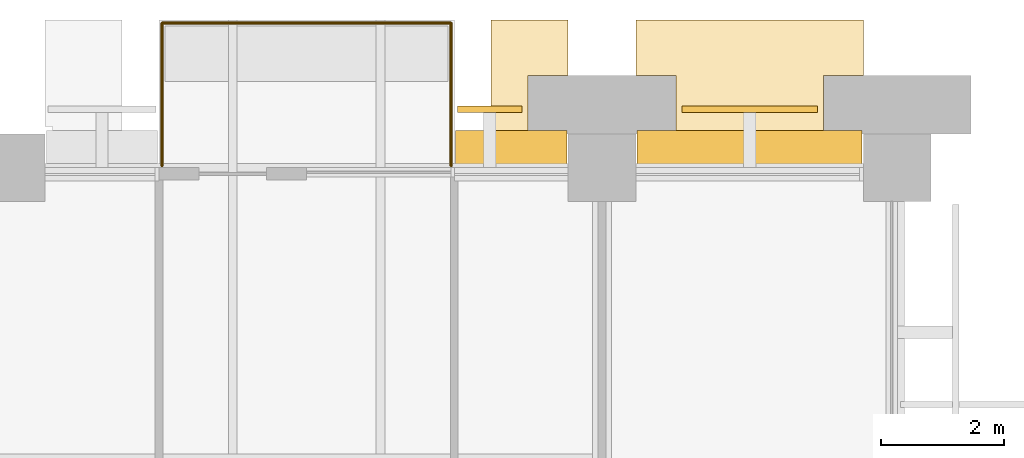
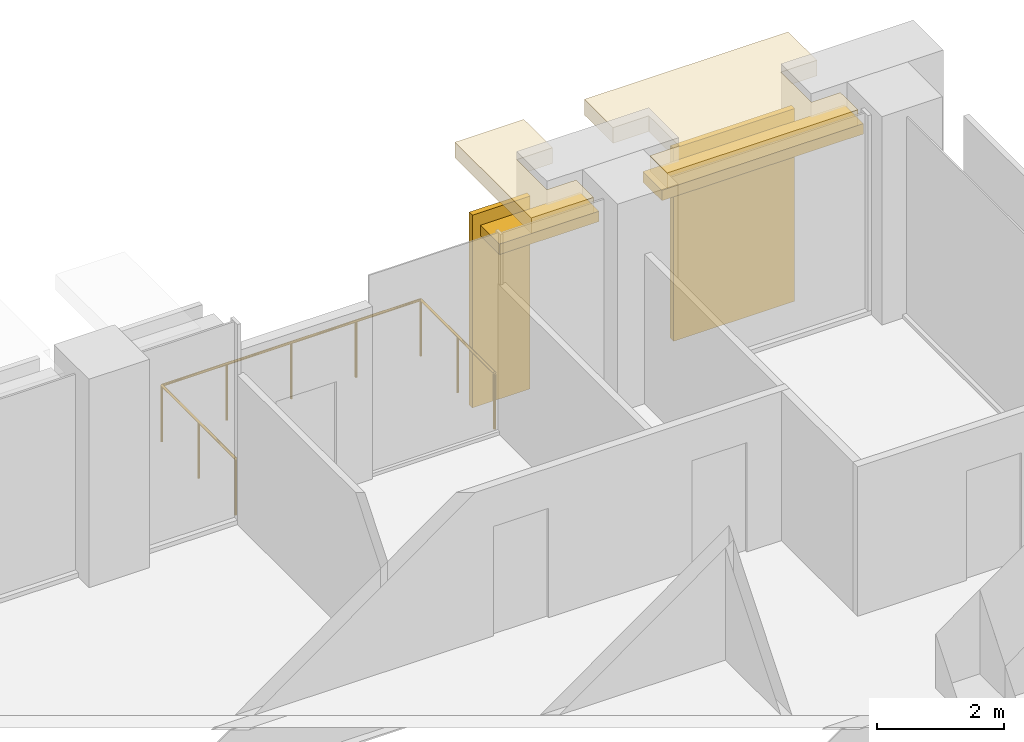
# One storey, part 14 of 14: 4 coverings, 2 shading devices, 1 railing.
"""IFC4 building model written with IfcOpenShell, lengths in metres."""

import ifcopenshell
import ifcopenshell.guid

model = None  # the IFC model being written
_history = None  # IfcOwnerHistory: only IFC2X3 demands one
_inside = {}  # id of a spatial element -> (the spatial element, [elements in it])
_under = {}  # id of a project, library or spatial element -> (it, [spatial elements below it])
_declared = {}  # id of a project -> (the project, [libraries it declares])
_typed = {}  # id of a type object -> (the type object, [elements of that type])
_made_of = {}  # id of a material, layer set ... -> (it, [elements and type objects made of it])


def new_model(schema):
    """Start an empty IFC model of exactly this schema.

    Asked for "IFC4X3", IfcOpenShell would pick the latest addendum, in which some entities
    have other attributes; the version numbers below select the first issue.
    IFC2X3 requires an IfcOwnerHistory on every rooted entity: one is made here for all.
    """
    global model, _history
    if schema == "IFC4X3":
        model = ifcopenshell.file(schema_version=(4, 3, 0, 0))
    else:
        model = ifcopenshell.file(schema=schema)
    _inside.clear()
    _under.clear()
    _declared.clear()
    _typed.clear()
    _made_of.clear()
    _history = None
    if model.schema == "IFC2X3":
        org = make("IfcOrganization", Name="unknown")
        user = make(
            "IfcPersonAndOrganization",
            ThePerson=make("IfcPerson", FamilyName="unknown"),
            TheOrganization=org,
        )
        app = make(
            "IfcApplication",
            ApplicationDeveloper=org,
            Version="unknown",
            ApplicationFullName="unknown",
            ApplicationIdentifier="unknown",
        )
        _history = make(
            "IfcOwnerHistory",
            OwningUser=user,
            OwningApplication=app,
            ChangeAction="ADDED",
            CreationDate=0,
        )
    return model


def make(cls, **values):
    """One entity of the class cls with the attributes given. An attribute that is None is left unset."""
    return model.create_entity(
        cls, **{name: value for name, value in values.items() if value is not None}
    )


def rooted(cls, **values):
    """An entity with a GlobalId (a new one), such as an element, a storey or a relation."""
    return make(cls, GlobalId=ifcopenshell.guid.new(), OwnerHistory=_history, **values)


def si_unit(unit_type, name, prefix=None):
    """IfcSIUnit, for example si_unit("LENGTHUNIT", "METRE", prefix="MILLI")."""
    return make("IfcSIUnit", UnitType=unit_type, Prefix=prefix, Name=name)


def assignment(units):
    """IfcUnitAssignment: the units of a project."""
    return None if units is None else make("IfcUnitAssignment", Units=units)


def point(xyz):
    """IfcCartesianPoint."""
    return None if xyz is None else make("IfcCartesianPoint", Coordinates=xyz)


def direction(xyz):
    """IfcDirection."""
    return None if xyz is None else make("IfcDirection", DirectionRatios=xyz)


def frame(location, z_axis=None, x_axis=None):
    """IfcAxis2Placement3D, a coordinate frame: its origin and axes. An axis left out is left unset."""
    return make(
        "IfcAxis2Placement3D",
        Location=point(location),
        Axis=direction(z_axis),
        RefDirection=direction(x_axis),
    )


def frame_2d(location, x_axis=None):
    """IfcAxis2Placement2D, a coordinate frame in the plane: its origin and x axis."""
    return make(
        "IfcAxis2Placement2D", Location=point(location), RefDirection=direction(x_axis)
    )


def origin():
    """The frame at (0, 0, 0) with its axes left unset."""
    return frame((0.0, 0.0, 0.0))


def origin_2d():
    """The frame at (0, 0) in the plane with its x axis left unset."""
    return frame_2d((0.0, 0.0))


def place(relative_to, where):
    """IfcLocalPlacement: puts the frame where relative to a parent placement (None: the world)."""
    return make(
        "IfcLocalPlacement", PlacementRelTo=relative_to, RelativePlacement=where
    )


def context(
    kind, dimensions, precision=None, world=None, true_north=None, identifier=None
):
    """IfcGeometricRepresentationContext, for example the 3D "Model" context."""
    return make(
        "IfcGeometricRepresentationContext",
        ContextIdentifier=identifier,
        ContextType=kind,
        CoordinateSpaceDimension=dimensions,
        Precision=precision,
        WorldCoordinateSystem=world,
        TrueNorth=true_north,
    )


def subcontext(parent, identifier, kind, view, scale=None):
    """IfcGeometricRepresentationSubContext, for example "Body" below "Model"."""
    return make(
        "IfcGeometricRepresentationSubContext",
        ContextIdentifier=identifier,
        ContextType=kind,
        ParentContext=parent,
        TargetScale=scale,
        TargetView=view,
    )


def project(units=None, contexts=None):
    """IfcProject with its units and contexts."""
    return rooted(
        "IfcProject",
        Name="project",
        RepresentationContexts=contexts,
        UnitsInContext=assignment(units),
    )


def spatial(cls, under=None, at=None, **own):
    """A site, building, storey or space (cls), placed at a placement, below another one or the project."""
    s = rooted(cls, ObjectPlacement=at, **own)
    if under is not None:
        _under.setdefault(under.id(), (under, []))[1].append(s)
    return s


def polyline(points):
    """IfcPolyline through the points."""
    return make("IfcPolyline", Points=[point(p) for p in points])


def profile(cls, at=None, kind="AREA", **sizes):
    """A parametric profile (cls). Its sizes go by their IFC names, for example OverallWidth=200.0."""
    return make(cls, ProfileType=kind, Position=at, **sizes)


def rectangle(**sizes):
    """IfcRectangleProfileDef."""
    return profile("IfcRectangleProfileDef", **sizes)


def circle(**sizes):
    """IfcCircleProfileDef."""
    return profile("IfcCircleProfileDef", **sizes)


def outline(outer, holes=None, kind="AREA"):
    """IfcArbitraryClosedProfileDef: a profile drawn as a closed curve; with holes, ...WithVoids."""
    if holes is None:
        return make("IfcArbitraryClosedProfileDef", ProfileType=kind, OuterCurve=outer)
    return make(
        "IfcArbitraryProfileDefWithVoids",
        ProfileType=kind,
        OuterCurve=outer,
        InnerCurves=holes,
    )


def extrude(swept, where, along, depth):
    """IfcExtrudedAreaSolid: the profile swept, set in the frame where, extruded along a direction by depth."""
    return make(
        "IfcExtrudedAreaSolid",
        SweptArea=swept,
        Position=where,
        ExtrudedDirection=direction(along),
        Depth=depth,
    )


def shape(context_of_items, identifier, shape_type, items):
    """IfcShapeRepresentation: the items that make up one representation, for example the "Body"."""
    return make(
        "IfcShapeRepresentation",
        ContextOfItems=context_of_items,
        RepresentationIdentifier=identifier,
        RepresentationType=shape_type,
        Items=items,
    )


def material(Name=None, Category=None):
    """IfcMaterial."""
    return make("IfcMaterial", Name=Name, Category=Category)


def layer(
    of_material, thickness, ventilated=None, Name=None, Category=None, Priority=None
):
    """IfcMaterialLayer: one layer of a wall or slab, of a material (None: an air gap)."""
    return make(
        "IfcMaterialLayer",
        Material=of_material,
        LayerThickness=thickness,
        IsVentilated=ventilated,
        Name=Name,
        Category=Category,
        Priority=Priority,
    )


def layer_set(layers, Name=None):
    """IfcMaterialLayerSet."""
    return make("IfcMaterialLayerSet", MaterialLayers=layers, LayerSetName=Name)


def made_of(thing, what):
    """Note that an element or type object is made of a material, layer set ...; save() writes the relation."""
    if what is not None:
        _made_of.setdefault(what.id(), (what, []))[1].append(thing)
    return thing


def type_object(cls, material=None, **own):
    """A type object (cls), such as IfcWallType, which elements share."""
    return made_of(rooted(cls, **own), material)


def element(
    cls,
    number,
    at=None,
    inside=None,
    cuts=None,
    type_object=None,
    material=None,
    context=None,
    identifier="Body",
    shape_type=None,
    held_by="IfcProductDefinitionShape",
    body=None,
    shapes=None,
    **own,
):
    """One element of the class cls, such as IfcWall. Its Tag is "e" and its number.

    at: its placement. inside: the storey or other place that contains it. cuts: it is an
    opening in that element (IfcRelVoidsElement). A single representation is given by context,
    identifier, shape_type and body (its items); several are given by shapes. held_by: the class
    of the entity that holds the representations. save() writes the other relations.
    """
    e = rooted(cls, Tag="e%d" % number, ObjectPlacement=at, **own)
    if body is not None:
        shapes = [shape(context, identifier, shape_type, body)]
    if shapes is not None:
        e.Representation = make(held_by, Representations=shapes)
    if inside is not None:
        _inside.setdefault(inside.id(), (inside, []))[1].append(e)
    if cuts is not None:
        rooted(
            "IfcRelVoidsElement", RelatingBuildingElement=cuts, RelatedOpeningElement=e
        )
    if type_object is not None:
        _typed.setdefault(type_object.id(), (type_object, []))[1].append(e)
    return made_of(e, material)


def aggregate(whole, parts):
    """IfcRelAggregates: a whole, such as a stair, and the parts it consists of."""
    return rooted("IfcRelAggregates", RelatingObject=whole, RelatedObjects=parts)


def save(model, path):
    """Write the relations noted so far, then the file.

    IfcRelAggregates (storeys below a building ...), IfcRelContainedInSpatialStructure (elements
    in a storey), IfcRelDefinesByType, IfcRelAssociatesMaterial and IfcRelDeclares: one each for
    every whole, place, type object, material and project.
    """
    for whole, parts in _under.values():
        aggregate(whole, parts)
    for where, things in _inside.values():
        rooted(
            "IfcRelContainedInSpatialStructure",
            RelatedElements=things,
            RelatingStructure=where,
        )
    for kind, things in _typed.values():
        rooted("IfcRelDefinesByType", RelatedObjects=things, RelatingType=kind)
    for what, things in _made_of.values():
        rooted("IfcRelAssociatesMaterial", RelatedObjects=things, RelatingMaterial=what)
    for by, libraries in _declared.values():
        rooted("IfcRelDeclares", RelatingContext=by, RelatedDefinitions=libraries)
    model.write(path)


model = new_model("IFC4")

# Units and contexts
model_context = context("Model", 3, precision=1e-05, world=origin(), true_north=direction((0.0, 1.0)))
body_context = subcontext(model_context, "Body", "Model", "MODEL_VIEW")
ifc_project = project(units=[si_unit("LENGTHUNIT", "METRE"), si_unit("AREAUNIT", "SQUARE_METRE"), si_unit("VOLUMEUNIT", "CUBIC_METRE"), si_unit("PLANEANGLEUNIT", "RADIAN"), si_unit("MASSUNIT", "GRAM", prefix="KILO")], contexts=[model_context])

# Site, building, storey
site_placement = place(None, origin())
site = spatial("IfcSite", under=ifc_project, at=site_placement, CompositionType="ELEMENT")
building_placement = place(site_placement, origin())
building = spatial("IfcBuilding", under=site, at=building_placement, Name="Baori Bourse Tower", CompositionType="ELEMENT")
storey_placement = place(building_placement, frame((0.0, 0.0, 197.199951171875)))
storey = spatial("IfcBuildingStorey", under=building, at=storey_placement, Name="L42", CompositionType="ELEMENT", Elevation=197.199951171875)

# Coverings
ifc_material_1 = material(Name="Pale anodised aluminium", Category="aluminium")
covering_type_1 = type_object("IfcCoveringType", Name="BD1 Pale metal band", PredefinedType="CLADDING", material=ifc_material_1)
covering_1_placement = place(storey_placement, frame((0.0, 0.0, 3.5400390625)))
element("IfcCovering", 1, at=covering_1_placement, inside=storey, type_object=covering_type_1, Name="Pale projecting band L42 2", PredefinedType="CLADDING", context=body_context, shape_type="SweptSolid", body=[
    extrude(outline(polyline([(39.070068359375, 48.0), (42.530029296875, 48.0), (42.530029296875, 48.550048828125), (42.0, 48.550048828125), (42.0, 49.5), (42.64990234375, 49.5), (42.64990234375, 50.39990234375), (38.949951171875, 50.39990234375), (38.949951171875, 49.5), (39.60009765625, 49.5), (39.60009765625, 48.550048828125), (39.070068359375, 48.550048828125), (39.070068359375, 48.0)])), origin(), (0.0, 0.0, 1.0), 0.300048828125),
])
covering_2_placement = place(storey_placement, frame((0.0, 0.0, 3.5400390625)))
element("IfcCovering", 2, at=covering_2_placement, inside=storey, type_object=covering_type_1, Name="Pale projecting band L42 3", PredefinedType="CLADDING", context=body_context, shape_type="SweptSolid", body=[
    extrude(outline(polyline([(36.60009765625, 48.0), (37.72998046875, 48.0), (37.72998046875, 48.550048828125), (37.199951171875, 48.550048828125), (37.199951171875, 49.5), (37.85009765625, 49.5), (37.85009765625, 50.39990234375), (36.60009765625, 50.39990234375), (36.60009765625, 48.0)])), origin(), (0.0, 0.0, 1.0), 0.300048828125),
])

# Shading devices
ifc_material_2 = material(Name="Concrete f'c 40 MPa", Category="concrete")
ifc_layer_1 = layer(ifc_material_2, 0.199951171875)
ifc_layer_set_1 = layer_set([ifc_layer_1], Name="BS1 Brise-soleil ledge")
shading_device_type = type_object("IfcShadingDeviceType", Name="BS1 Brise-soleil ledge", PredefinedType="USERDEFINED", material=ifc_layer_set_1)
shading_device_1_placement = place(storey_placement, frame((40.800048828125, 48.300048828125, 3.33984375), z_axis=(0.0, 0.0, 1.0), x_axis=(-1.0, 0.0, 0.0)))
element("IfcShadingDevice", 3, at=shading_device_1_placement, inside=storey, type_object=shading_device_type, Name="Brise-soleil ledge L42 1", ObjectType="BRISE SOLEIL", PredefinedType="USERDEFINED", context=body_context, shape_type="SweptSolid", body=[
    extrude(rectangle(XDim=3.659912109375, YDim=0.60009765625, at=origin_2d()), origin(), (0.0, 0.0, 1.0), 0.199951171875),
])
shading_device_2_placement = place(storey_placement, frame((36.925048828125, 48.300048828125, 3.33984375), z_axis=(0.0, 0.0, 1.0), x_axis=(-1.0, 0.0, 0.0)))
element("IfcShadingDevice", 4, at=shading_device_2_placement, inside=storey, type_object=shading_device_type, Name="Brise-soleil ledge L42 2", ObjectType="BRISE SOLEIL", PredefinedType="USERDEFINED", context=body_context, shape_type="SweptSolid", body=[
    extrude(rectangle(XDim=1.81005859375, YDim=0.60009765625, at=origin_2d()), origin(), (0.0, 0.0, 1.0), 0.199951171875),
])

# Railing
ifc_material_3 = material(Name="Stainless steel", Category="steel")
railing_type = type_object("IfcRailingType", Name="GD1 Guard", PredefinedType="GUARDRAIL", material=ifc_material_3)
railing_placement = place(storey_placement, frame((31.25, 48.030029296875, 0.0)))
element("IfcRailing", 5, at=railing_placement, inside=storey, type_object=railing_type, Name="Guard balcony N L42 2", PredefinedType="GUARDRAIL", context=body_context, shape_type="SweptSolid", body=[
    extrude(circle(Radius=0.02392578125, at=origin_2d()), frame((0.0, 0.0, 1.076171875), z_axis=(0.0, 1.0, 0.0), x_axis=(-1.0, 0.0, 0.0)), (0.0, 0.0, 1.0), 2.320068359375),
    extrude(circle(Radius=0.02392578125, at=origin_2d()), frame((0.0, 2.320068359375, 1.076171875), z_axis=(1.0, 0.0, 0.0), x_axis=(0.0, 1.0, 0.0)), (0.0, 0.0, 1.0), 4.699951171875),
    extrude(circle(Radius=0.02392578125, at=origin_2d()), frame((4.699951171875, 2.320068359375, 1.076171875), z_axis=(0.0, -1.0, 0.0), x_axis=(1.0, 0.0, 0.0)), (0.0, 0.0, 1.0), 2.320068359375),
    extrude(circle(Radius=0.02099609375, at=origin_2d()), origin(), (0.0, 0.0, 1.0), 1.052001953125),
    extrude(circle(Radius=0.02099609375, at=origin_2d()), frame((0.0, 1.16015625, 0.0)), (0.0, 0.0, 1.0), 1.052001953125),
    extrude(circle(Radius=0.02099609375, at=origin_2d()), frame((0.0, 2.320068359375, 0.0)), (0.0, 0.0, 1.0), 1.052001953125),
    extrude(circle(Radius=0.02099609375, at=origin_2d()), frame((1.175048828125, 2.320068359375, 0.0)), (0.0, 0.0, 1.0), 1.052001953125),
    extrude(circle(Radius=0.02099609375, at=origin_2d()), frame((2.35009765625, 2.320068359375, 0.0)), (0.0, 0.0, 1.0), 1.052001953125),
    extrude(circle(Radius=0.02099609375, at=origin_2d()), frame((3.52490234375, 2.320068359375, 0.0)), (0.0, 0.0, 1.0), 1.052001953125),
    extrude(circle(Radius=0.02099609375, at=origin_2d()), frame((4.699951171875, 2.320068359375, 0.0)), (0.0, 0.0, 1.0), 1.052001953125),
    extrude(circle(Radius=0.02099609375, at=origin_2d()), frame((4.699951171875, 1.16015625, 0.0)), (0.0, 0.0, 1.0), 1.052001953125),
    extrude(circle(Radius=0.02099609375, at=origin_2d()), frame((4.699951171875, 0.0, 0.0)), (0.0, 0.0, 1.0), 1.052001953125),
])

# Coverings
ifc_material_4 = material(Name="Pale anodised aluminium", Category="aluminium")
ifc_layer_2 = layer(ifc_material_4, 0.10009765625)
ifc_layer_set_2 = layer_set([ifc_layer_2], Name="OS3 Outer skin screen panel")
covering_type_2 = type_object("IfcCoveringType", Name="OS3 Outer skin screen panel", PredefinedType="CLADDING", material=ifc_layer_set_2)
covering_3_placement = place(storey_placement, frame((0.0, 0.0, -0.159912109375)))
element("IfcCovering", 6, at=covering_3_placement, inside=storey, type_object=covering_type_2, Name="Outer skin screen L42 4", PredefinedType="CLADDING", context=body_context, shape_type="SweptSolid", body=[
    extrude(outline(polyline([(39.699951171875, 48.89990234375), (41.89990234375, 48.89990234375), (41.89990234375, 49.0), (39.699951171875, 49.0), (39.699951171875, 48.89990234375)])), origin(), (0.0, 0.0, 1.0), 3.699951171875),
])
covering_4_placement = place(storey_placement, frame((0.0, 0.0, -0.159912109375)))
element("IfcCovering", 7, at=covering_4_placement, inside=storey, type_object=covering_type_2, Name="Outer skin screen L42 5", PredefinedType="CLADDING", context=body_context, shape_type="SweptSolid", body=[
    extrude(outline(polyline([(36.050048828125, 48.89990234375), (37.10009765625, 48.89990234375), (37.10009765625, 49.0), (36.050048828125, 49.0), (36.050048828125, 48.89990234375)])), origin(), (0.0, 0.0, 1.0), 3.699951171875),
])

save(model, "model.ifc")
